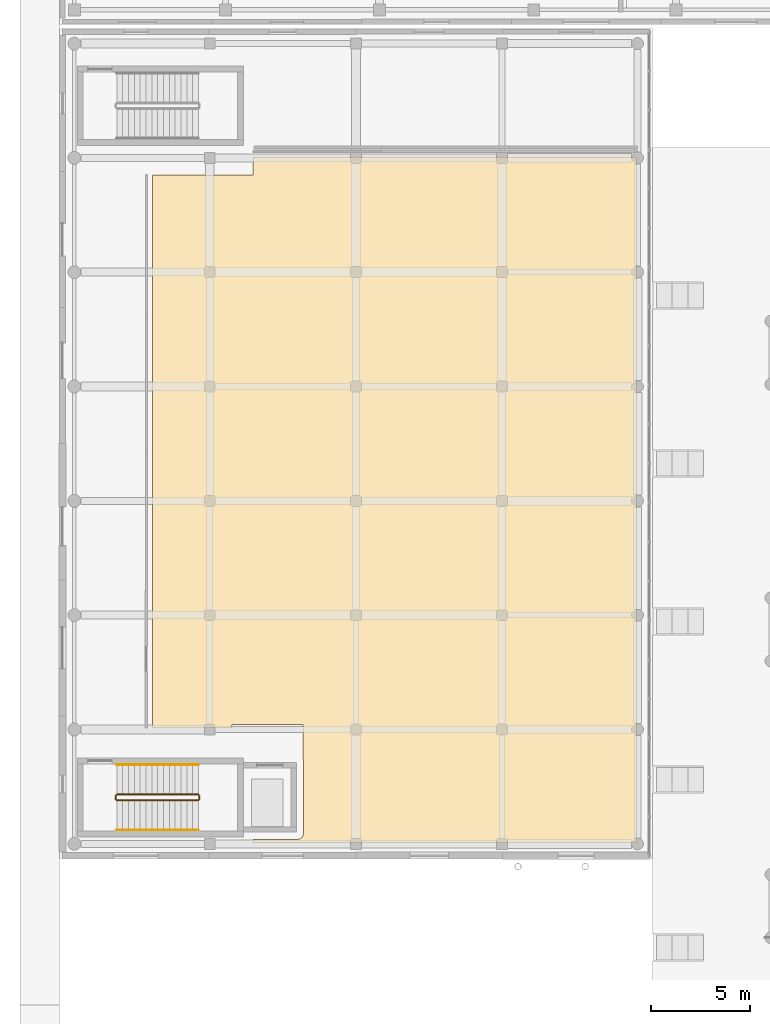
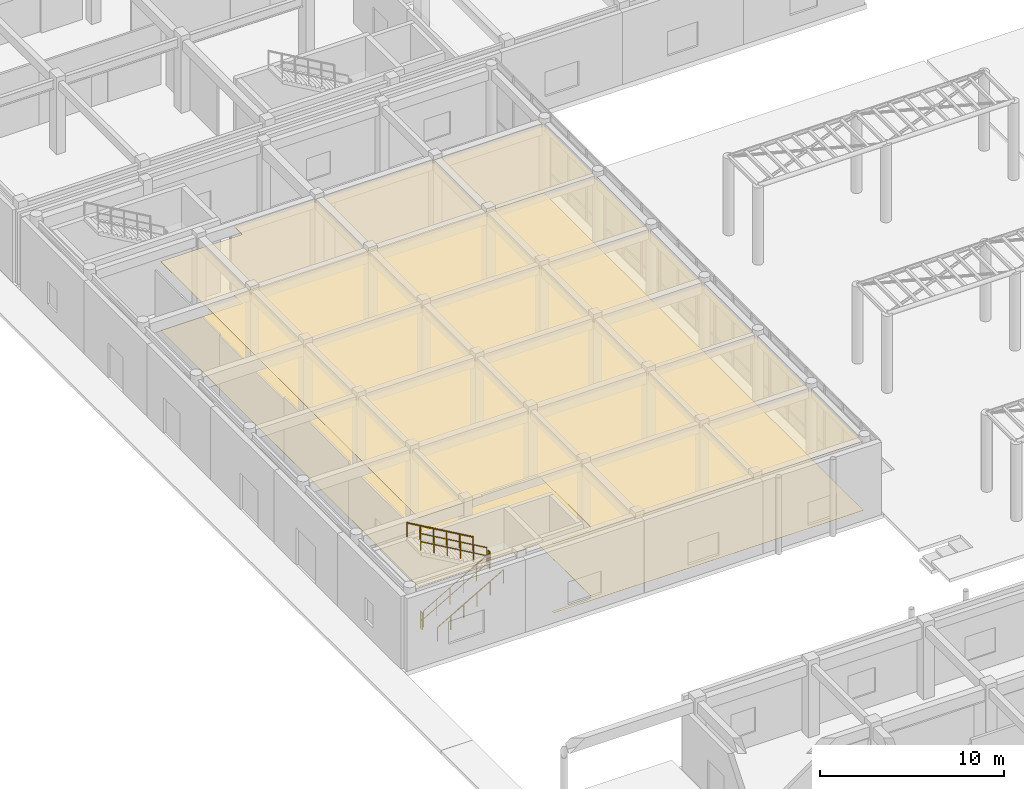
# One storey, part 113 of 121: 6 railings, 2 coverings.
"""IFC4 building model written with IfcOpenShell, lengths in metres."""

from ifc_helpers import new_model, si_unit, direction, frame, origin, origin_2d, place, context, subcontext, project, spatial, polyline, circle, outline, extrude, material, layer, layer_set, type_object, element, save


model = new_model("IFC4")

# Units and contexts
model_context = context("Model", 3, precision=1e-05, world=origin(), true_north=direction((0.0, 1.0)))
body_context = subcontext(model_context, "Body", "Model", "MODEL_VIEW")
ifc_project = project(units=[si_unit("LENGTHUNIT", "METRE"), si_unit("AREAUNIT", "SQUARE_METRE"), si_unit("VOLUMEUNIT", "CUBIC_METRE"), si_unit("PLANEANGLEUNIT", "RADIAN"), si_unit("MASSUNIT", "GRAM", prefix="KILO")], contexts=[model_context])

# Site, building, storey
site_placement = place(None, origin())
site = spatial("IfcSite", under=ifc_project, at=site_placement, CompositionType="ELEMENT")
building_placement = place(site_placement, origin())
building = spatial("IfcBuilding", under=site, at=building_placement, Name="Valcora Specialist Clinic", CompositionType="ELEMENT")
storey_placement = place(building_placement, origin())
storey = spatial("IfcBuildingStorey", under=building, at=storey_placement, Name="L00", CompositionType="ELEMENT", Elevation=0.0)

# Coverings
ifc_material_1 = material(Name="Acoustic Mineral Ceiling Tile")
ifc_layer_1 = layer(ifc_material_1, 0.02001953125)
ifc_layer_set_1 = layer_set([ifc_layer_1], Name="Acoustic Mineral Ceiling Tile")
covering_type_1 = type_object("IfcCoveringType", Name="TY-CV-CLG020", PredefinedType="CEILING", material=ifc_layer_set_1)
covering_1_placement = place(storey_placement, frame((0.0, 0.0, 4.554931640625)))
element("IfcCovering", 1, at=covering_1_placement, inside=storey, type_object=covering_type_1, Name="Acoustic ceiling tile 1", PredefinedType="CEILING", context=body_context, shape_type="SweptSolid", body=[
    extrude(outline(polyline([(29.199951171875, 73.5), (29.199951171875, 38.800048828125), (9.800048828125, 38.800048828125), (9.800048828125, 38.97998046875), (12.0400390625, 38.97998046875), (12.069091796875, 38.98095703125), (12.09912109375, 38.986083984375), (12.126953125, 38.992919921875), (12.155029296875, 39.0029296875), (12.180908203125, 39.014892578125), (12.20703125, 39.031005859375), (12.22998046875, 39.048095703125), (12.251953125, 39.068115234375), (12.27197265625, 39.090087890625), (12.2890625, 39.113037109375), (12.304931640625, 39.138916015625), (12.31689453125, 39.1650390625), (12.326904296875, 39.193115234375), (12.333984375, 39.220947265625), (12.339111328125, 39.2509765625), (12.340087890625, 39.280029296875), (12.340087890625, 42.919921875), (12.339111328125, 42.948974609375), (12.333984375, 42.97900390625), (12.326904296875, 43.007080078125), (12.320068359375, 43.027099609375), (12.320068359375, 44.800048828125), (8.719970703125, 44.800048828125), (8.719970703125, 44.60009765625), (4.699951171875, 44.60009765625), (4.699951171875, 72.60009765625), (9.800048828125, 72.60009765625), (9.800048828125, 73.5), (29.199951171875, 73.5)])), origin(), (0.0, 0.0, 1.0), 0.02001953125),
])
ifc_material_2 = material(Name="Antimicrobial Vinyl Clinical Flooring")
ifc_layer_2 = layer(ifc_material_2, 0.008056640625)
ifc_layer_set_2 = layer_set([ifc_layer_2], Name="Antimicrobial Vinyl Clinical Flooring")
covering_type_2 = type_object("IfcCoveringType", Name="TY-CV-FLR008", PredefinedType="FLOORING", material=ifc_layer_set_2)
covering_2_placement = place(storey_placement, origin())
element("IfcCovering", 2, at=covering_2_placement, inside=storey, type_object=covering_type_2, Name="Antimicrobial clinical flooring 1", PredefinedType="FLOORING", context=body_context, shape_type="SweptSolid", body=[
    extrude(outline(polyline([(29.199951171875, 73.5), (29.199951171875, 38.800048828125), (9.800048828125, 38.800048828125), (9.800048828125, 38.97998046875), (12.0400390625, 38.97998046875), (12.069091796875, 38.98095703125), (12.09912109375, 38.986083984375), (12.126953125, 38.992919921875), (12.155029296875, 39.0029296875), (12.180908203125, 39.014892578125), (12.20703125, 39.031005859375), (12.22998046875, 39.048095703125), (12.251953125, 39.068115234375), (12.27197265625, 39.090087890625), (12.2890625, 39.113037109375), (12.304931640625, 39.138916015625), (12.31689453125, 39.1650390625), (12.326904296875, 39.193115234375), (12.333984375, 39.220947265625), (12.339111328125, 39.2509765625), (12.340087890625, 39.280029296875), (12.340087890625, 42.919921875), (12.339111328125, 42.948974609375), (12.333984375, 42.97900390625), (12.326904296875, 43.007080078125), (12.320068359375, 43.027099609375), (12.320068359375, 44.800048828125), (8.719970703125, 44.800048828125), (8.719970703125, 44.60009765625), (4.699951171875, 44.60009765625), (4.699951171875, 72.60009765625), (9.800048828125, 72.60009765625), (9.800048828125, 73.5), (29.199951171875, 73.5)])), origin(), (0.0, 0.0, 1.0), 0.008056640625),
])

# Railings
ifc_material_3 = material(Name="Stainless Steel AISI 316", Category="steel")
railing_type_1 = type_object("IfcRailingType", Name="TY-RL-GRD112", PredefinedType="GUARDRAIL", material=ifc_material_3)
railing_1_placement = place(storey_placement, frame((2.89990234375, 40.949951171875, 0.169921875)))
element("IfcRailing", 3, at=railing_1_placement, inside=storey, type_object=railing_type_1, Name="L00 ST-V1A stair guard 1", PredefinedType="GUARDRAIL", context=body_context, shape_type="SweptSolid", body=[
    extrude(circle(Radius=0.02392578125, at=origin_2d()), frame((0.0, 0.0, 1.09619140625), z_axis=(0.866425082981, 0.0, 0.499307095465), x_axis=(0.0, 1.0, 0.0)), (0.0, 0.0, 1.0), 4.766845703125),
    extrude(circle(Radius=0.02392578125, at=origin_2d()), frame((0.0, 0.0, 0.56005859375), z_axis=(0.866425082981, 0.0, 0.499307095465), x_axis=(0.0, 1.0, 0.0)), (0.0, 0.0, 1.0), 4.766845703125),
    extrude(circle(Radius=0.02099609375, at=origin_2d()), origin(), (0.0, 0.0, 1.0), 1.072021484375),
    extrude(circle(Radius=0.02099609375, at=origin_2d()), frame((0.825927734375, 0.0, 0.47607421875)), (0.0, 0.0, 1.0), 1.072021484375),
    extrude(circle(Radius=0.02099609375, at=origin_2d()), frame((1.652099609375, 0.0, 0.9521484375)), (0.0, 0.0, 1.0), 1.072021484375),
    extrude(circle(Radius=0.02099609375, at=origin_2d()), frame((2.47802734375, 0.0, 1.427978515625)), (0.0, 0.0, 1.0), 1.072021484375),
    extrude(circle(Radius=0.02099609375, at=origin_2d()), frame((3.30419921875, 0.0, 1.904052734375)), (0.0, 0.0, 1.0), 1.072021484375),
    extrude(circle(Radius=0.02099609375, at=origin_2d()), frame((4.130126953125, 0.0, 2.380126953125)), (0.0, 0.0, 1.0), 1.072021484375),
])
railing_2_placement = place(storey_placement, frame((7.080078125, 41.0, 2.550048828125)))
element("IfcRailing", 4, at=railing_2_placement, inside=storey, type_object=railing_type_1, Name="L00 ST-V1A stair guard 2", PredefinedType="GUARDRAIL", context=body_context, shape_type="SweptSolid", body=[
    extrude(circle(Radius=0.02392578125, at=origin_2d()), frame((0.0, 0.0, 1.09619140625), z_axis=(0.0, 1.0, 0.0), x_axis=(-1.0, 0.0, 0.0)), (0.0, 0.0, 1.0), 0.199951171875),
    extrude(circle(Radius=0.02392578125, at=origin_2d()), frame((0.0, 0.0, 0.56005859375), z_axis=(0.0, 1.0, 0.0), x_axis=(-1.0, 0.0, 0.0)), (0.0, 0.0, 1.0), 0.199951171875),
    extrude(circle(Radius=0.02099609375, at=origin_2d()), origin(), (0.0, 0.0, 1.0), 1.072021484375),
    extrude(circle(Radius=0.02099609375, at=origin_2d()), frame((0.0, 0.199951171875, 0.0)), (0.0, 0.0, 1.0), 1.072021484375),
])
railing_3_placement = place(storey_placement, frame((7.030029296875, 41.25, 2.719970703125)))
element("IfcRailing", 5, at=railing_3_placement, inside=storey, type_object=railing_type_1, Name="L00 ST-V1A stair guard 3", PredefinedType="GUARDRAIL", context=body_context, shape_type="SweptSolid", body=[
    extrude(circle(Radius=0.02392578125, at=origin_2d()), frame((0.0, 0.0, 1.09619140625), z_axis=(-0.866425082981, 0.0, 0.499307095465), x_axis=(0.0, -1.0, 0.0)), (0.0, 0.0, 1.0), 4.766845703125),
    extrude(circle(Radius=0.02392578125, at=origin_2d()), frame((0.0, 0.0, 0.56005859375), z_axis=(-0.866425082981, 0.0, 0.499307095465), x_axis=(0.0, -1.0, 0.0)), (0.0, 0.0, 1.0), 4.766845703125),
    extrude(circle(Radius=0.02099609375, at=origin_2d()), origin(), (0.0, 0.0, 1.0), 1.072021484375),
    extrude(circle(Radius=0.02099609375, at=origin_2d()), frame((-0.825927734375, 0.0, 0.47607421875)), (0.0, 0.0, 1.0), 1.072021484375),
    extrude(circle(Radius=0.02099609375, at=origin_2d()), frame((-1.652099609375, 0.0, 0.9521484375)), (0.0, 0.0, 1.0), 1.072021484375),
    extrude(circle(Radius=0.02099609375, at=origin_2d()), frame((-2.47802734375, 0.0, 1.427978515625)), (0.0, 0.0, 1.0), 1.072021484375),
    extrude(circle(Radius=0.02099609375, at=origin_2d()), frame((-3.30419921875, 0.0, 1.904052734375)), (0.0, 0.0, 1.0), 1.072021484375),
    extrude(circle(Radius=0.02099609375, at=origin_2d()), frame((-4.130126953125, 0.0, 2.380126953125)), (0.0, 0.0, 1.0), 1.072021484375),
])
railing_4_placement = place(storey_placement, frame((2.85009765625, 41.0, 0.0)))
element("IfcRailing", 6, at=railing_4_placement, inside=storey, type_object=railing_type_1, Name="L00 ST-V1A stair guard 4", PredefinedType="GUARDRAIL", context=body_context, shape_type="SweptSolid", body=[
    extrude(circle(Radius=0.02392578125, at=origin_2d()), frame((0.0, 0.0, 1.09619140625), z_axis=(0.0, 1.0, 0.0), x_axis=(-1.0, 0.0, 0.0)), (0.0, 0.0, 1.0), 0.199951171875),
    extrude(circle(Radius=0.02392578125, at=origin_2d()), frame((0.0, 0.0, 0.56005859375), z_axis=(0.0, 1.0, 0.0), x_axis=(-1.0, 0.0, 0.0)), (0.0, 0.0, 1.0), 0.199951171875),
    extrude(circle(Radius=0.02099609375, at=origin_2d()), origin(), (0.0, 0.0, 1.0), 1.072021484375),
    extrude(circle(Radius=0.02099609375, at=origin_2d()), frame((0.0, 0.199951171875, 0.0)), (0.0, 0.0, 1.0), 1.072021484375),
])
railing_type_2 = type_object("IfcRailingType", Name="TY-RL-HND092", PredefinedType="HANDRAIL", material=ifc_material_3)
railing_5_placement = place(storey_placement, frame((2.89990234375, 39.449951171875, 0.169921875)))
element("IfcRailing", 7, at=railing_5_placement, inside=storey, type_object=railing_type_2, Name="L00 ST-V1A stair handrail 1", PredefinedType="HANDRAIL", context=body_context, shape_type="SweptSolid", body=[
    extrude(circle(Radius=0.02392578125, at=origin_2d()), frame((0.0, 0.0, 0.89599609375), z_axis=(0.866425082981, 0.0, 0.499307095465), x_axis=(0.0, 1.0, 0.0)), (0.0, 0.0, 1.0), 4.766845703125),
    extrude(circle(Radius=0.02099609375, at=origin_2d()), origin(), (0.0, 0.0, 1.0), 0.871826171875),
    extrude(circle(Radius=0.02099609375, at=origin_2d()), frame((0.825927734375, 0.0, 0.47607421875)), (0.0, 0.0, 1.0), 0.871826171875),
    extrude(circle(Radius=0.02099609375, at=origin_2d()), frame((1.652099609375, 0.0, 0.9521484375)), (0.0, 0.0, 1.0), 0.871826171875),
    extrude(circle(Radius=0.02099609375, at=origin_2d()), frame((2.47802734375, 0.0, 1.427978515625)), (0.0, 0.0, 1.0), 0.871826171875),
    extrude(circle(Radius=0.02099609375, at=origin_2d()), frame((3.30419921875, 0.0, 1.904052734375)), (0.0, 0.0, 1.0), 0.871826171875),
    extrude(circle(Radius=0.02099609375, at=origin_2d()), frame((4.130126953125, 0.0, 2.380126953125)), (0.0, 0.0, 1.0), 0.871826171875),
])
railing_6_placement = place(storey_placement, frame((7.030029296875, 42.75, 2.719970703125)))
element("IfcRailing", 8, at=railing_6_placement, inside=storey, type_object=railing_type_2, Name="L00 ST-V1A stair handrail 2", PredefinedType="HANDRAIL", context=body_context, shape_type="SweptSolid", body=[
    extrude(circle(Radius=0.02392578125, at=origin_2d()), frame((0.0, 0.0, 0.89599609375), z_axis=(-0.866425082981, 0.0, 0.499307095465), x_axis=(0.0, -1.0, 0.0)), (0.0, 0.0, 1.0), 4.766845703125),
    extrude(circle(Radius=0.02099609375, at=origin_2d()), origin(), (0.0, 0.0, 1.0), 0.871826171875),
    extrude(circle(Radius=0.02099609375, at=origin_2d()), frame((-0.825927734375, 0.0, 0.47607421875)), (0.0, 0.0, 1.0), 0.871826171875),
    extrude(circle(Radius=0.02099609375, at=origin_2d()), frame((-1.652099609375, 0.0, 0.9521484375)), (0.0, 0.0, 1.0), 0.871826171875),
    extrude(circle(Radius=0.02099609375, at=origin_2d()), frame((-2.47802734375, 0.0, 1.427978515625)), (0.0, 0.0, 1.0), 0.871826171875),
    extrude(circle(Radius=0.02099609375, at=origin_2d()), frame((-3.30419921875, 0.0, 1.904052734375)), (0.0, 0.0, 1.0), 0.871826171875),
    extrude(circle(Radius=0.02099609375, at=origin_2d()), frame((-4.130126953125, 0.0, 2.380126953125)), (0.0, 0.0, 1.0), 0.871826171875),
])

save(model, "model.ifc")
